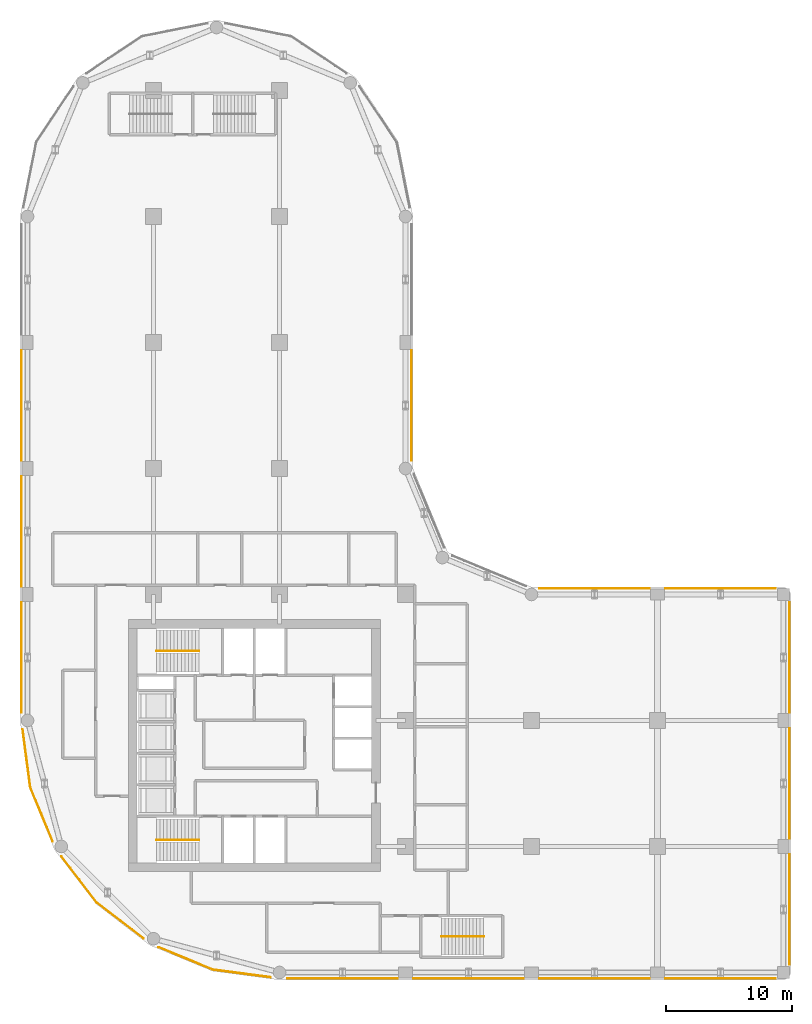
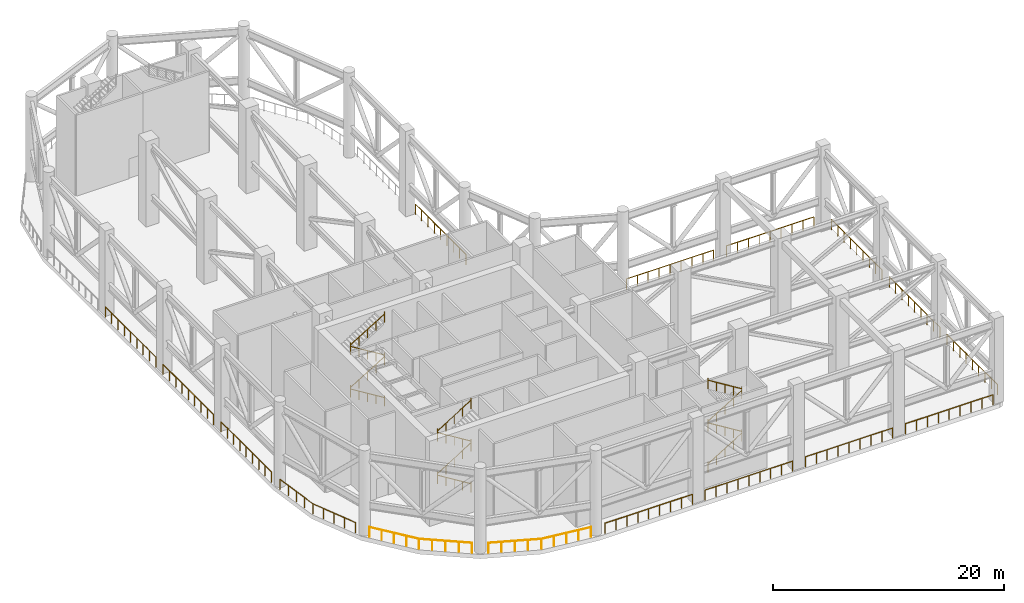
# One storey, part 11 of 13: 28 railings.
"""IFC4 building model written with IfcOpenShell, lengths in metres."""

from ifc_helpers import new_model, si_unit, direction, frame, origin, origin_2d, place, context, subcontext, project, spatial, circle, extrude, material, type_object, element, save


model = new_model("IFC4")

# Units and contexts
model_context = context("Model", 3, precision=1e-05, world=origin(), true_north=direction((0.0, 1.0)))
body_context = subcontext(model_context, "Body", "Model", "MODEL_VIEW")
ifc_project = project(units=[si_unit("LENGTHUNIT", "METRE"), si_unit("AREAUNIT", "SQUARE_METRE"), si_unit("VOLUMEUNIT", "CUBIC_METRE"), si_unit("PLANEANGLEUNIT", "RADIAN"), si_unit("MASSUNIT", "GRAM", prefix="KILO")], contexts=[model_context])

# Site, building, storey
site_placement = place(None, origin())
site = spatial("IfcSite", under=ifc_project, at=site_placement, CompositionType="ELEMENT")
building_placement = place(site_placement, origin())
building = spatial("IfcBuilding", under=site, at=building_placement, Name="Qaws Garden Tower", CompositionType="ELEMENT")
storey_placement = place(building_placement, frame((0.0, 0.0, 237.0)))
storey = spatial("IfcBuildingStorey", under=building, at=storey_placement, Name="L58", CompositionType="ELEMENT", Elevation=237.0)

# Railings
ifc_material_1 = material(Name="Steel S355", Category="steel")
railing_type_1 = type_object("IfcRailingType", Name="Guard steel balustrade 1100", PredefinedType="GUARDRAIL", material=ifc_material_1)
for number, where, name in (
    (1, (29.361083984375, -0.47998046875, 0.0), "Wind floor edge guard"),
    (2, (39.361083984375, -0.47998046875, 0.0), "Wind floor edge guard"),
    (3, (49.361083984375, -0.47998046875, 0.0), "Wind floor edge guard"),
    (4, (59.361083984375, -0.47998046875, 0.0), "Wind floor edge guard"),
):
    element("IfcRailing", number, at=place(storey_placement, frame(where)), inside=storey, type_object=railing_type_1, Name=name, PredefinedType="GUARDRAIL", context=body_context, shape_type="SweptSolid", body=[
        extrude(circle(Radius=0.02392578125, at=origin_2d()), frame((0.0, 0.0, 1.076171875), z_axis=(-1.0, 0.0, 0.0), x_axis=(0.0, -1.0, 0.0)), (0.0, 0.0, 1.0), 8.72216796875),
        extrude(circle(Radius=0.02099609375, at=origin_2d()), origin(), (0.0, 0.0, 1.0), 1.052001953125),
        extrude(circle(Radius=0.02099609375, at=origin_2d()), frame((-1.09033203125, 0.0, 0.0)), (0.0, 0.0, 1.0), 1.052001953125),
        extrude(circle(Radius=0.02099609375, at=origin_2d()), frame((-2.1806640625, 0.0, 0.0)), (0.0, 0.0, 1.0), 1.052001953125),
        extrude(circle(Radius=0.02099609375, at=origin_2d()), frame((-3.270751953125, 0.0, 0.0)), (0.0, 0.0, 1.0), 1.052001953125),
        extrude(circle(Radius=0.02099609375, at=origin_2d()), frame((-4.361083984375, 0.0, 0.0)), (0.0, 0.0, 1.0), 1.052001953125),
        extrude(circle(Radius=0.02099609375, at=origin_2d()), frame((-5.451416015625, 0.0, 0.0)), (0.0, 0.0, 1.0), 1.052001953125),
        extrude(circle(Radius=0.02099609375, at=origin_2d()), frame((-6.54150390625, 0.0, 0.0)), (0.0, 0.0, 1.0), 1.052001953125),
        extrude(circle(Radius=0.02099609375, at=origin_2d()), frame((-7.6318359375, 0.0, 0.0)), (0.0, 0.0, 1.0), 1.052001953125),
        extrude(circle(Radius=0.02099609375, at=origin_2d()), frame((-8.72216796875, 0.0, 0.0)), (0.0, 0.0, 1.0), 1.052001953125),
    ])
railing_1_placement = place(storey_placement, frame((19.30029296875, -0.38671875, 0.0)))
element("IfcRailing", 5, at=railing_1_placement, inside=storey, type_object=railing_type_1, Name="Wind floor edge guard", PredefinedType="GUARDRAIL", context=body_context, shape_type="SweptSolid", body=[
    extrude(circle(Radius=0.02392578125, at=origin_2d()), frame((0.0, 0.0, 1.076171875), z_axis=(-0.991450713576, 0.130481732629, 0.0), x_axis=(-0.130481732629, -0.991450713576, 0.0)), (0.0, 0.0, 1.0), 4.64013671875),
    extrude(circle(Radius=0.02392578125, at=origin_2d()), frame((-4.6005859375, 0.60546875, 1.076171875), z_axis=(-0.923868718314, 0.382709539103, 0.0), x_axis=(-0.382709539103, -0.923868718314, 0.0)), (0.0, 0.0, 1.0), 4.640869140625),
    extrude(circle(Radius=0.02099609375, at=origin_2d()), origin(), (0.0, 0.0, 1.0), 1.052001953125),
    extrude(circle(Radius=0.02099609375, at=origin_2d()), frame((-1.150146484375, 0.1513671875, 0.0)), (0.0, 0.0, 1.0), 1.052001953125),
    extrude(circle(Radius=0.02099609375, at=origin_2d()), frame((-2.30029296875, 0.302734375, 0.0)), (0.0, 0.0, 1.0), 1.052001953125),
    extrude(circle(Radius=0.02099609375, at=origin_2d()), frame((-3.450439453125, 0.4541015625, 0.0)), (0.0, 0.0, 1.0), 1.052001953125),
    extrude(circle(Radius=0.02099609375, at=origin_2d()), frame((-4.6005859375, 0.60546875, 0.0)), (0.0, 0.0, 1.0), 1.052001953125),
    extrude(circle(Radius=0.02099609375, at=origin_2d()), frame((-5.67236328125, 1.049560546875, 0.0)), (0.0, 0.0, 1.0), 1.052001953125),
    extrude(circle(Radius=0.02099609375, at=origin_2d()), frame((-6.744384765625, 1.49365234375, 0.0)), (0.0, 0.0, 1.0), 1.052001953125),
    extrude(circle(Radius=0.02099609375, at=origin_2d()), frame((-7.81640625, 1.9375, 0.0)), (0.0, 0.0, 1.0), 1.052001953125),
    extrude(circle(Radius=0.02099609375, at=origin_2d()), frame((-8.88818359375, 2.381591796875, 0.0)), (0.0, 0.0, 1.0), 1.052001953125),
])
railing_2_placement = place(storey_placement, frame((9.20068359375, 2.694091796875, 0.0)))
element("IfcRailing", 6, at=railing_2_placement, inside=storey, type_object=railing_type_1, Name="Wind floor edge guard", PredefinedType="GUARDRAIL", context=body_context, shape_type="SweptSolid", body=[
    extrude(circle(Radius=0.02392578125, at=origin_2d()), frame((0.0, 0.0, 1.076171875), z_axis=(-0.79331582627, 0.608810315114, 0.0), x_axis=(-0.608810315114, -0.79331582627, 0.0)), (0.0, 0.0, 1.0), 4.640625),
    extrude(circle(Radius=0.02392578125, at=origin_2d()), frame((-3.681396484375, 2.8251953125, 1.076171875), z_axis=(-0.608810315114, 0.79331582627, 0.0), x_axis=(-0.79331582627, -0.608810315114, 0.0)), (0.0, 0.0, 1.0), 4.640625),
    extrude(circle(Radius=0.02099609375, at=origin_2d()), origin(), (0.0, 0.0, 1.0), 1.052001953125),
    extrude(circle(Radius=0.02099609375, at=origin_2d()), frame((-0.92041015625, 0.706298828125, 0.0)), (0.0, 0.0, 1.0), 1.052001953125),
    extrude(circle(Radius=0.02099609375, at=origin_2d()), frame((-1.8408203125, 1.41259765625, 0.0)), (0.0, 0.0, 1.0), 1.052001953125),
    extrude(circle(Radius=0.02099609375, at=origin_2d()), frame((-2.760986328125, 2.118896484375, 0.0)), (0.0, 0.0, 1.0), 1.052001953125),
    extrude(circle(Radius=0.02099609375, at=origin_2d()), frame((-3.681396484375, 2.8251953125, 0.0)), (0.0, 0.0, 1.0), 1.052001953125),
    extrude(circle(Radius=0.02099609375, at=origin_2d()), frame((-4.3876953125, 3.74560546875, 0.0)), (0.0, 0.0, 1.0), 1.052001953125),
    extrude(circle(Radius=0.02099609375, at=origin_2d()), frame((-5.093994140625, 4.666015625, 0.0)), (0.0, 0.0, 1.0), 1.052001953125),
    extrude(circle(Radius=0.02099609375, at=origin_2d()), frame((-5.80029296875, 5.586181640625, 0.0)), (0.0, 0.0, 1.0), 1.052001953125),
    extrude(circle(Radius=0.02099609375, at=origin_2d()), frame((-6.506591796875, 6.506591796875, 0.0)), (0.0, 0.0, 1.0), 1.052001953125),
])
railing_3_placement = place(storey_placement, frame((60.47998046875, 9.361083984375, 0.0)))
element("IfcRailing", 7, at=railing_3_placement, inside=storey, type_object=railing_type_1, Name="Wind floor edge guard", PredefinedType="GUARDRAIL", context=body_context, shape_type="SweptSolid", body=[
    extrude(circle(Radius=0.02392578125, at=origin_2d()), frame((0.0, 0.0, 1.076171875), z_axis=(0.0, -1.0, 0.0), x_axis=(1.0, 0.0, 0.0)), (0.0, 0.0, 1.0), 8.72216796875),
    extrude(circle(Radius=0.02099609375, at=origin_2d()), origin(), (0.0, 0.0, 1.0), 1.052001953125),
    extrude(circle(Radius=0.02099609375, at=origin_2d()), frame((0.0, -1.09033203125, 0.0)), (0.0, 0.0, 1.0), 1.052001953125),
    extrude(circle(Radius=0.02099609375, at=origin_2d()), frame((0.0, -2.1806640625, 0.0)), (0.0, 0.0, 1.0), 1.052001953125),
    extrude(circle(Radius=0.02099609375, at=origin_2d()), frame((0.0, -3.270751953125, 0.0)), (0.0, 0.0, 1.0), 1.052001953125),
    extrude(circle(Radius=0.02099609375, at=origin_2d()), frame((0.0, -4.361083984375, 0.0)), (0.0, 0.0, 1.0), 1.052001953125),
    extrude(circle(Radius=0.02099609375, at=origin_2d()), frame((0.0, -5.451416015625, 0.0)), (0.0, 0.0, 1.0), 1.052001953125),
    extrude(circle(Radius=0.02099609375, at=origin_2d()), frame((0.0, -6.54150390625, 0.0)), (0.0, 0.0, 1.0), 1.052001953125),
    extrude(circle(Radius=0.02099609375, at=origin_2d()), frame((0.0, -7.6318359375, 0.0)), (0.0, 0.0, 1.0), 1.052001953125),
    extrude(circle(Radius=0.02099609375, at=origin_2d()), frame((0.0, -8.72216796875, 0.0)), (0.0, 0.0, 1.0), 1.052001953125),
])
railing_4_placement = place(storey_placement, frame((1.994873046875, 10.412109375, 0.0)))
element("IfcRailing", 8, at=railing_4_placement, inside=storey, type_object=railing_type_1, Name="Wind floor edge guard", PredefinedType="GUARDRAIL", context=body_context, shape_type="SweptSolid", body=[
    extrude(circle(Radius=0.02392578125, at=origin_2d()), frame((0.0, 0.0, 1.076171875), z_axis=(-0.382709539103, 0.923868718314, 0.0), x_axis=(-0.923868718314, -0.382709539103, 0.0)), (0.0, 0.0, 1.0), 4.640869140625),
    extrude(circle(Radius=0.02392578125, at=origin_2d()), frame((-1.776123046875, 4.28759765625, 1.076171875), z_axis=(-0.130481732629, 0.991450713576, 0.0), x_axis=(-0.991450713576, -0.130481732629, 0.0)), (0.0, 0.0, 1.0), 4.64013671875),
    extrude(circle(Radius=0.02099609375, at=origin_2d()), origin(), (0.0, 0.0, 1.0), 1.052001953125),
    extrude(circle(Radius=0.02099609375, at=origin_2d()), frame((-0.444091796875, 1.07177734375, 0.0)), (0.0, 0.0, 1.0), 1.052001953125),
    extrude(circle(Radius=0.02099609375, at=origin_2d()), frame((-0.88818359375, 2.143798828125, 0.0)), (0.0, 0.0, 1.0), 1.052001953125),
    extrude(circle(Radius=0.02099609375, at=origin_2d()), frame((-1.33203125, 3.2158203125, 0.0)), (0.0, 0.0, 1.0), 1.052001953125),
    extrude(circle(Radius=0.02099609375, at=origin_2d()), frame((-1.776123046875, 4.28759765625, 0.0)), (0.0, 0.0, 1.0), 1.052001953125),
    extrude(circle(Radius=0.02099609375, at=origin_2d()), frame((-1.927490234375, 5.437744140625, 0.0)), (0.0, 0.0, 1.0), 1.052001953125),
    extrude(circle(Radius=0.02099609375, at=origin_2d()), frame((-2.078857421875, 6.587890625, 0.0)), (0.0, 0.0, 1.0), 1.052001953125),
    extrude(circle(Radius=0.02099609375, at=origin_2d()), frame((-2.230224609375, 7.738037109375, 0.0)), (0.0, 0.0, 1.0), 1.052001953125),
    extrude(circle(Radius=0.02099609375, at=origin_2d()), frame((-2.381591796875, 8.88818359375, 0.0)), (0.0, 0.0, 1.0), 1.052001953125),
])
railing_5_placement = place(storey_placement, frame((60.47998046875, 19.361083984375, 0.0)))
element("IfcRailing", 9, at=railing_5_placement, inside=storey, type_object=railing_type_1, Name="Wind floor edge guard", PredefinedType="GUARDRAIL", context=body_context, shape_type="SweptSolid", body=[
    extrude(circle(Radius=0.02392578125, at=origin_2d()), frame((0.0, 0.0, 1.076171875), z_axis=(0.0, -1.0, 0.0), x_axis=(1.0, 0.0, 0.0)), (0.0, 0.0, 1.0), 8.72216796875),
    extrude(circle(Radius=0.02099609375, at=origin_2d()), origin(), (0.0, 0.0, 1.0), 1.052001953125),
    extrude(circle(Radius=0.02099609375, at=origin_2d()), frame((0.0, -1.09033203125, 0.0)), (0.0, 0.0, 1.0), 1.052001953125),
    extrude(circle(Radius=0.02099609375, at=origin_2d()), frame((0.0, -2.1806640625, 0.0)), (0.0, 0.0, 1.0), 1.052001953125),
    extrude(circle(Radius=0.02099609375, at=origin_2d()), frame((0.0, -3.270751953125, 0.0)), (0.0, 0.0, 1.0), 1.052001953125),
    extrude(circle(Radius=0.02099609375, at=origin_2d()), frame((0.0, -4.361083984375, 0.0)), (0.0, 0.0, 1.0), 1.052001953125),
    extrude(circle(Radius=0.02099609375, at=origin_2d()), frame((0.0, -5.451416015625, 0.0)), (0.0, 0.0, 1.0), 1.052001953125),
    extrude(circle(Radius=0.02099609375, at=origin_2d()), frame((0.0, -6.54150390625, 0.0)), (0.0, 0.0, 1.0), 1.052001953125),
    extrude(circle(Radius=0.02099609375, at=origin_2d()), frame((0.0, -7.6318359375, 0.0)), (0.0, 0.0, 1.0), 1.052001953125),
    extrude(circle(Radius=0.02099609375, at=origin_2d()), frame((0.0, -8.72216796875, 0.0)), (0.0, 0.0, 1.0), 1.052001953125),
])
railing_6_placement = place(storey_placement, frame((-0.47998046875, 20.638916015625, 0.0)))
element("IfcRailing", 10, at=railing_6_placement, inside=storey, type_object=railing_type_1, Name="Wind floor edge guard", PredefinedType="GUARDRAIL", context=body_context, shape_type="SweptSolid", body=[
    extrude(circle(Radius=0.02392578125, at=origin_2d()), frame((0.0, 0.0, 1.076171875), z_axis=(0.0, 1.0, 0.0), x_axis=(-1.0, 0.0, 0.0)), (0.0, 0.0, 1.0), 8.72216796875),
    extrude(circle(Radius=0.02099609375, at=origin_2d()), origin(), (0.0, 0.0, 1.0), 1.052001953125),
    extrude(circle(Radius=0.02099609375, at=origin_2d()), frame((0.0, 1.09033203125, 0.0)), (0.0, 0.0, 1.0), 1.052001953125),
    extrude(circle(Radius=0.02099609375, at=origin_2d()), frame((0.0, 2.1806640625, 0.0)), (0.0, 0.0, 1.0), 1.052001953125),
    extrude(circle(Radius=0.02099609375, at=origin_2d()), frame((0.0, 3.270751953125, 0.0)), (0.0, 0.0, 1.0), 1.052001953125),
    extrude(circle(Radius=0.02099609375, at=origin_2d()), frame((0.0, 4.361083984375, 0.0)), (0.0, 0.0, 1.0), 1.052001953125),
    extrude(circle(Radius=0.02099609375, at=origin_2d()), frame((0.0, 5.451416015625, 0.0)), (0.0, 0.0, 1.0), 1.052001953125),
    extrude(circle(Radius=0.02099609375, at=origin_2d()), frame((0.0, 6.54150390625, 0.0)), (0.0, 0.0, 1.0), 1.052001953125),
    extrude(circle(Radius=0.02099609375, at=origin_2d()), frame((0.0, 7.6318359375, 0.0)), (0.0, 0.0, 1.0), 1.052001953125),
    extrude(circle(Radius=0.02099609375, at=origin_2d()), frame((0.0, 8.72216796875, 0.0)), (0.0, 0.0, 1.0), 1.052001953125),
])
railing_7_placement = place(storey_placement, frame((60.47998046875, 29.361083984375, 0.0)))
element("IfcRailing", 11, at=railing_7_placement, inside=storey, type_object=railing_type_1, Name="Wind floor edge guard", PredefinedType="GUARDRAIL", context=body_context, shape_type="SweptSolid", body=[
    extrude(circle(Radius=0.02392578125, at=origin_2d()), frame((0.0, 0.0, 1.076171875), z_axis=(0.0, -1.0, 0.0), x_axis=(1.0, 0.0, 0.0)), (0.0, 0.0, 1.0), 8.72216796875),
    extrude(circle(Radius=0.02099609375, at=origin_2d()), origin(), (0.0, 0.0, 1.0), 1.052001953125),
    extrude(circle(Radius=0.02099609375, at=origin_2d()), frame((0.0, -1.09033203125, 0.0)), (0.0, 0.0, 1.0), 1.052001953125),
    extrude(circle(Radius=0.02099609375, at=origin_2d()), frame((0.0, -2.1806640625, 0.0)), (0.0, 0.0, 1.0), 1.052001953125),
    extrude(circle(Radius=0.02099609375, at=origin_2d()), frame((0.0, -3.270751953125, 0.0)), (0.0, 0.0, 1.0), 1.052001953125),
    extrude(circle(Radius=0.02099609375, at=origin_2d()), frame((0.0, -4.361083984375, 0.0)), (0.0, 0.0, 1.0), 1.052001953125),
    extrude(circle(Radius=0.02099609375, at=origin_2d()), frame((0.0, -5.451416015625, 0.0)), (0.0, 0.0, 1.0), 1.052001953125),
    extrude(circle(Radius=0.02099609375, at=origin_2d()), frame((0.0, -6.54150390625, 0.0)), (0.0, 0.0, 1.0), 1.052001953125),
    extrude(circle(Radius=0.02099609375, at=origin_2d()), frame((0.0, -7.6318359375, 0.0)), (0.0, 0.0, 1.0), 1.052001953125),
    extrude(circle(Radius=0.02099609375, at=origin_2d()), frame((0.0, -8.72216796875, 0.0)), (0.0, 0.0, 1.0), 1.052001953125),
])
for number, where, name in (
    (12, (40.638916015625, 30.47998046875, 0.0), "Wind floor edge guard"),
    (13, (50.638916015625, 30.47998046875, 0.0), "Wind floor edge guard"),
):
    element("IfcRailing", number, at=place(storey_placement, frame(where)), inside=storey, type_object=railing_type_1, Name=name, PredefinedType="GUARDRAIL", context=body_context, shape_type="SweptSolid", body=[
        extrude(circle(Radius=0.02392578125, at=origin_2d()), frame((0.0, 0.0, 1.076171875), z_axis=(1.0, 0.0, 0.0), x_axis=(0.0, 1.0, 0.0)), (0.0, 0.0, 1.0), 8.72216796875),
        extrude(circle(Radius=0.02099609375, at=origin_2d()), origin(), (0.0, 0.0, 1.0), 1.052001953125),
        extrude(circle(Radius=0.02099609375, at=origin_2d()), frame((1.09033203125, 0.0, 0.0)), (0.0, 0.0, 1.0), 1.052001953125),
        extrude(circle(Radius=0.02099609375, at=origin_2d()), frame((2.1806640625, 0.0, 0.0)), (0.0, 0.0, 1.0), 1.052001953125),
        extrude(circle(Radius=0.02099609375, at=origin_2d()), frame((3.270751953125, 0.0, 0.0)), (0.0, 0.0, 1.0), 1.052001953125),
        extrude(circle(Radius=0.02099609375, at=origin_2d()), frame((4.361083984375, 0.0, 0.0)), (0.0, 0.0, 1.0), 1.052001953125),
        extrude(circle(Radius=0.02099609375, at=origin_2d()), frame((5.451416015625, 0.0, 0.0)), (0.0, 0.0, 1.0), 1.052001953125),
        extrude(circle(Radius=0.02099609375, at=origin_2d()), frame((6.54150390625, 0.0, 0.0)), (0.0, 0.0, 1.0), 1.052001953125),
        extrude(circle(Radius=0.02099609375, at=origin_2d()), frame((7.6318359375, 0.0, 0.0)), (0.0, 0.0, 1.0), 1.052001953125),
        extrude(circle(Radius=0.02099609375, at=origin_2d()), frame((8.72216796875, 0.0, 0.0)), (0.0, 0.0, 1.0), 1.052001953125),
    ])
for number, where, name in (
    (14, (-0.47998046875, 30.638916015625, 0.0), "Wind floor edge guard"),
    (15, (-0.47998046875, 40.638916015625, 0.0), "Wind floor edge guard"),
):
    element("IfcRailing", number, at=place(storey_placement, frame(where)), inside=storey, type_object=railing_type_1, Name=name, PredefinedType="GUARDRAIL", context=body_context, shape_type="SweptSolid", body=[
        extrude(circle(Radius=0.02392578125, at=origin_2d()), frame((0.0, 0.0, 1.076171875), z_axis=(0.0, 1.0, 0.0), x_axis=(-1.0, 0.0, 0.0)), (0.0, 0.0, 1.0), 8.72216796875),
        extrude(circle(Radius=0.02099609375, at=origin_2d()), origin(), (0.0, 0.0, 1.0), 1.052001953125),
        extrude(circle(Radius=0.02099609375, at=origin_2d()), frame((0.0, 1.09033203125, 0.0)), (0.0, 0.0, 1.0), 1.052001953125),
        extrude(circle(Radius=0.02099609375, at=origin_2d()), frame((0.0, 2.1806640625, 0.0)), (0.0, 0.0, 1.0), 1.052001953125),
        extrude(circle(Radius=0.02099609375, at=origin_2d()), frame((0.0, 3.270751953125, 0.0)), (0.0, 0.0, 1.0), 1.052001953125),
        extrude(circle(Radius=0.02099609375, at=origin_2d()), frame((0.0, 4.361083984375, 0.0)), (0.0, 0.0, 1.0), 1.052001953125),
        extrude(circle(Radius=0.02099609375, at=origin_2d()), frame((0.0, 5.451416015625, 0.0)), (0.0, 0.0, 1.0), 1.052001953125),
        extrude(circle(Radius=0.02099609375, at=origin_2d()), frame((0.0, 6.54150390625, 0.0)), (0.0, 0.0, 1.0), 1.052001953125),
        extrude(circle(Radius=0.02099609375, at=origin_2d()), frame((0.0, 7.6318359375, 0.0)), (0.0, 0.0, 1.0), 1.052001953125),
        extrude(circle(Radius=0.02099609375, at=origin_2d()), frame((0.0, 8.72216796875, 0.0)), (0.0, 0.0, 1.0), 1.052001953125),
    ])
railing_8_placement = place(storey_placement, frame((30.47998046875, 49.361083984375, 0.0)))
element("IfcRailing", 16, at=railing_8_placement, inside=storey, type_object=railing_type_1, Name="Wind floor edge guard", PredefinedType="GUARDRAIL", context=body_context, shape_type="SweptSolid", body=[
    extrude(circle(Radius=0.02392578125, at=origin_2d()), frame((0.0, 0.0, 1.076171875), z_axis=(0.0, -1.0, 0.0), x_axis=(1.0, 0.0, 0.0)), (0.0, 0.0, 1.0), 8.72216796875),
    extrude(circle(Radius=0.02099609375, at=origin_2d()), origin(), (0.0, 0.0, 1.0), 1.052001953125),
    extrude(circle(Radius=0.02099609375, at=origin_2d()), frame((0.0, -1.09033203125, 0.0)), (0.0, 0.0, 1.0), 1.052001953125),
    extrude(circle(Radius=0.02099609375, at=origin_2d()), frame((0.0, -2.1806640625, 0.0)), (0.0, 0.0, 1.0), 1.052001953125),
    extrude(circle(Radius=0.02099609375, at=origin_2d()), frame((0.0, -3.270751953125, 0.0)), (0.0, 0.0, 1.0), 1.052001953125),
    extrude(circle(Radius=0.02099609375, at=origin_2d()), frame((0.0, -4.361083984375, 0.0)), (0.0, 0.0, 1.0), 1.052001953125),
    extrude(circle(Radius=0.02099609375, at=origin_2d()), frame((0.0, -5.451416015625, 0.0)), (0.0, 0.0, 1.0), 1.052001953125),
    extrude(circle(Radius=0.02099609375, at=origin_2d()), frame((0.0, -6.54150390625, 0.0)), (0.0, 0.0, 1.0), 1.052001953125),
    extrude(circle(Radius=0.02099609375, at=origin_2d()), frame((0.0, -7.6318359375, 0.0)), (0.0, 0.0, 1.0), 1.052001953125),
    extrude(circle(Radius=0.02099609375, at=origin_2d()), frame((0.0, -8.72216796875, 0.0)), (0.0, 0.0, 1.0), 1.052001953125),
])
ifc_material_2 = material(Name="Steel S355", Category="steel")
railing_type_2 = type_object("IfcRailingType", Name="Stair handrail 900", PredefinedType="HANDRAIL", material=ifc_material_2)
railing_9_placement = place(storey_placement, frame((13.60009765625, 10.5, 0.173095703125)))
element("IfcRailing", 17, at=railing_9_placement, inside=storey, type_object=railing_type_2, Name="Stair 1 handrail", PredefinedType="HANDRAIL", context=body_context, shape_type="SweptSolid", body=[
    extrude(circle(Radius=0.02392578125, at=origin_2d()), frame((0.0, 0.0, 0.8759765625), z_axis=(-0.850623216509, 0.0, 0.525775754039), x_axis=(0.0, -1.0, 0.0)), (0.0, 0.0, 1.0), 3.9501953125),
    extrude(circle(Radius=0.02099609375, at=origin_2d()), origin(), (0.0, 0.0, 1.0), 1.072998046875),
    extrude(circle(Radius=0.02099609375, at=origin_2d()), frame((-0.840087890625, 0.0, 0.519287109375)), (0.0, 0.0, 1.0), 0.851806640625),
    extrude(circle(Radius=0.02099609375, at=origin_2d()), frame((-1.68017578125, 0.0, 1.03857421875)), (0.0, 0.0, 1.0), 0.851806640625),
    extrude(circle(Radius=0.02099609375, at=origin_2d()), frame((-2.52001953125, 0.0, 1.5576171875)), (0.0, 0.0, 1.0), 0.851806640625),
    extrude(circle(Radius=0.02099609375, at=origin_2d()), frame((-3.360107421875, 0.0, 2.076904296875)), (0.0, 0.0, 1.0), 1.072998046875),
])
railing_10_placement = place(storey_placement, frame((10.239990234375, 10.5, 2.423095703125)))
element("IfcRailing", 18, at=railing_10_placement, inside=storey, type_object=railing_type_2, Name="Stair 1 handrail", PredefinedType="HANDRAIL", context=body_context, shape_type="SweptSolid", body=[
    extrude(circle(Radius=0.02392578125, at=origin_2d()), frame((0.0, 0.0, 0.8759765625), z_axis=(0.850623216509, 0.0, 0.525775754039), x_axis=(0.0, 1.0, 0.0)), (0.0, 0.0, 1.0), 3.9501953125),
    extrude(circle(Radius=0.02099609375, at=origin_2d()), origin(), (0.0, 0.0, 1.0), 1.072998046875),
    extrude(circle(Radius=0.02099609375, at=origin_2d()), frame((0.840087890625, 0.0, 0.519287109375)), (0.0, 0.0, 1.0), 0.851806640625),
    extrude(circle(Radius=0.02099609375, at=origin_2d()), frame((1.68017578125, 0.0, 1.03857421875)), (0.0, 0.0, 1.0), 0.851806640625),
    extrude(circle(Radius=0.02099609375, at=origin_2d()), frame((2.52001953125, 0.0, 1.5576171875)), (0.0, 0.0, 1.0), 0.851806640625),
    extrude(circle(Radius=0.02099609375, at=origin_2d()), frame((3.360107421875, 0.0, 2.076904296875)), (0.0, 0.0, 1.0), 1.072998046875),
])
railing_11_placement = place(storey_placement, frame((13.60009765625, 10.5, 4.673095703125)))
element("IfcRailing", 19, at=railing_11_placement, inside=storey, type_object=railing_type_2, Name="Stair 1 handrail", PredefinedType="HANDRAIL", context=body_context, shape_type="SweptSolid", body=[
    extrude(circle(Radius=0.02392578125, at=origin_2d()), frame((0.0, 0.0, 0.8759765625), z_axis=(-0.850623216509, 0.0, 0.525775754039), x_axis=(0.0, -1.0, 0.0)), (0.0, 0.0, 1.0), 3.9501953125),
    extrude(circle(Radius=0.02099609375, at=origin_2d()), origin(), (0.0, 0.0, 1.0), 1.072998046875),
    extrude(circle(Radius=0.02099609375, at=origin_2d()), frame((-0.840087890625, 0.0, 0.519287109375)), (0.0, 0.0, 1.0), 0.851806640625),
    extrude(circle(Radius=0.02099609375, at=origin_2d()), frame((-1.68017578125, 0.0, 1.03857421875)), (0.0, 0.0, 1.0), 0.851806640625),
    extrude(circle(Radius=0.02099609375, at=origin_2d()), frame((-2.52001953125, 0.0, 1.5576171875)), (0.0, 0.0, 1.0), 0.851806640625),
    extrude(circle(Radius=0.02099609375, at=origin_2d()), frame((-3.360107421875, 0.0, 2.076904296875)), (0.0, 0.0, 1.0), 1.072998046875),
])
railing_12_placement = place(storey_placement, frame((10.239990234375, 10.5, 6.923095703125)))
element("IfcRailing", 20, at=railing_12_placement, inside=storey, type_object=railing_type_2, Name="Stair 1 handrail", PredefinedType="HANDRAIL", context=body_context, shape_type="SweptSolid", body=[
    extrude(circle(Radius=0.02392578125, at=origin_2d()), frame((0.0, 0.0, 0.8759765625), z_axis=(0.850623216509, 0.0, 0.525775754039), x_axis=(0.0, 1.0, 0.0)), (0.0, 0.0, 1.0), 3.9501953125),
    extrude(circle(Radius=0.02099609375, at=origin_2d()), origin(), (0.0, 0.0, 1.0), 1.072998046875),
    extrude(circle(Radius=0.02099609375, at=origin_2d()), frame((0.840087890625, 0.0, 0.519287109375)), (0.0, 0.0, 1.0), 0.851806640625),
    extrude(circle(Radius=0.02099609375, at=origin_2d()), frame((1.68017578125, 0.0, 1.03857421875)), (0.0, 0.0, 1.0), 0.851806640625),
    extrude(circle(Radius=0.02099609375, at=origin_2d()), frame((2.52001953125, 0.0, 1.5576171875)), (0.0, 0.0, 1.0), 0.851806640625),
    extrude(circle(Radius=0.02099609375, at=origin_2d()), frame((3.360107421875, 0.0, 2.076904296875)), (0.0, 0.0, 1.0), 1.072998046875),
])
railing_13_placement = place(storey_placement, frame((13.60009765625, 25.5, 0.173095703125)))
element("IfcRailing", 21, at=railing_13_placement, inside=storey, type_object=railing_type_2, Name="Stair 4 handrail", PredefinedType="HANDRAIL", context=body_context, shape_type="SweptSolid", body=[
    extrude(circle(Radius=0.02392578125, at=origin_2d()), frame((0.0, 0.0, 0.8759765625), z_axis=(-0.850623216509, 0.0, 0.525775754039), x_axis=(0.0, -1.0, 0.0)), (0.0, 0.0, 1.0), 3.9501953125),
    extrude(circle(Radius=0.02099609375, at=origin_2d()), origin(), (0.0, 0.0, 1.0), 1.072998046875),
    extrude(circle(Radius=0.02099609375, at=origin_2d()), frame((-0.840087890625, 0.0, 0.519287109375)), (0.0, 0.0, 1.0), 0.851806640625),
    extrude(circle(Radius=0.02099609375, at=origin_2d()), frame((-1.68017578125, 0.0, 1.03857421875)), (0.0, 0.0, 1.0), 0.851806640625),
    extrude(circle(Radius=0.02099609375, at=origin_2d()), frame((-2.52001953125, 0.0, 1.5576171875)), (0.0, 0.0, 1.0), 0.851806640625),
    extrude(circle(Radius=0.02099609375, at=origin_2d()), frame((-3.360107421875, 0.0, 2.076904296875)), (0.0, 0.0, 1.0), 1.072998046875),
])
railing_14_placement = place(storey_placement, frame((10.239990234375, 25.5, 2.423095703125)))
element("IfcRailing", 22, at=railing_14_placement, inside=storey, type_object=railing_type_2, Name="Stair 4 handrail", PredefinedType="HANDRAIL", context=body_context, shape_type="SweptSolid", body=[
    extrude(circle(Radius=0.02392578125, at=origin_2d()), frame((0.0, 0.0, 0.8759765625), z_axis=(0.850623216509, 0.0, 0.525775754039), x_axis=(0.0, 1.0, 0.0)), (0.0, 0.0, 1.0), 3.9501953125),
    extrude(circle(Radius=0.02099609375, at=origin_2d()), origin(), (0.0, 0.0, 1.0), 1.072998046875),
    extrude(circle(Radius=0.02099609375, at=origin_2d()), frame((0.840087890625, 0.0, 0.519287109375)), (0.0, 0.0, 1.0), 0.851806640625),
    extrude(circle(Radius=0.02099609375, at=origin_2d()), frame((1.68017578125, 0.0, 1.03857421875)), (0.0, 0.0, 1.0), 0.851806640625),
    extrude(circle(Radius=0.02099609375, at=origin_2d()), frame((2.52001953125, 0.0, 1.5576171875)), (0.0, 0.0, 1.0), 0.851806640625),
    extrude(circle(Radius=0.02099609375, at=origin_2d()), frame((3.360107421875, 0.0, 2.076904296875)), (0.0, 0.0, 1.0), 1.072998046875),
])
railing_15_placement = place(storey_placement, frame((13.60009765625, 25.5, 4.673095703125)))
element("IfcRailing", 23, at=railing_15_placement, inside=storey, type_object=railing_type_2, Name="Stair 4 handrail", PredefinedType="HANDRAIL", context=body_context, shape_type="SweptSolid", body=[
    extrude(circle(Radius=0.02392578125, at=origin_2d()), frame((0.0, 0.0, 0.8759765625), z_axis=(-0.850623216509, 0.0, 0.525775754039), x_axis=(0.0, -1.0, 0.0)), (0.0, 0.0, 1.0), 3.9501953125),
    extrude(circle(Radius=0.02099609375, at=origin_2d()), origin(), (0.0, 0.0, 1.0), 1.072998046875),
    extrude(circle(Radius=0.02099609375, at=origin_2d()), frame((-0.840087890625, 0.0, 0.519287109375)), (0.0, 0.0, 1.0), 0.851806640625),
    extrude(circle(Radius=0.02099609375, at=origin_2d()), frame((-1.68017578125, 0.0, 1.03857421875)), (0.0, 0.0, 1.0), 0.851806640625),
    extrude(circle(Radius=0.02099609375, at=origin_2d()), frame((-2.52001953125, 0.0, 1.5576171875)), (0.0, 0.0, 1.0), 0.851806640625),
    extrude(circle(Radius=0.02099609375, at=origin_2d()), frame((-3.360107421875, 0.0, 2.076904296875)), (0.0, 0.0, 1.0), 1.072998046875),
])
railing_16_placement = place(storey_placement, frame((10.239990234375, 25.5, 6.923095703125)))
element("IfcRailing", 24, at=railing_16_placement, inside=storey, type_object=railing_type_2, Name="Stair 4 handrail", PredefinedType="HANDRAIL", context=body_context, shape_type="SweptSolid", body=[
    extrude(circle(Radius=0.02392578125, at=origin_2d()), frame((0.0, 0.0, 0.8759765625), z_axis=(0.850623216509, 0.0, 0.525775754039), x_axis=(0.0, 1.0, 0.0)), (0.0, 0.0, 1.0), 3.9501953125),
    extrude(circle(Radius=0.02099609375, at=origin_2d()), origin(), (0.0, 0.0, 1.0), 1.072998046875),
    extrude(circle(Radius=0.02099609375, at=origin_2d()), frame((0.840087890625, 0.0, 0.519287109375)), (0.0, 0.0, 1.0), 0.851806640625),
    extrude(circle(Radius=0.02099609375, at=origin_2d()), frame((1.68017578125, 0.0, 1.03857421875)), (0.0, 0.0, 1.0), 0.851806640625),
    extrude(circle(Radius=0.02099609375, at=origin_2d()), frame((2.52001953125, 0.0, 1.5576171875)), (0.0, 0.0, 1.0), 0.851806640625),
    extrude(circle(Radius=0.02099609375, at=origin_2d()), frame((3.360107421875, 0.0, 2.076904296875)), (0.0, 0.0, 1.0), 1.072998046875),
])
railing_17_placement = place(storey_placement, frame((32.85009765625, 2.85009765625, 0.173095703125)))
element("IfcRailing", 25, at=railing_17_placement, inside=storey, type_object=railing_type_2, Name="Stair 5 handrail", PredefinedType="HANDRAIL", context=body_context, shape_type="SweptSolid", body=[
    extrude(circle(Radius=0.02392578125, at=origin_2d()), frame((0.0, 0.0, 0.8759765625), z_axis=(0.850606129759, 0.0, 0.525803396734), x_axis=(0.0, 1.0, 0.0)), (0.0, 0.0, 1.0), 3.949951171875),
    extrude(circle(Radius=0.02099609375, at=origin_2d()), origin(), (0.0, 0.0, 1.0), 1.072998046875),
    extrude(circle(Radius=0.02099609375, at=origin_2d()), frame((0.83984375, 0.0, 0.519287109375)), (0.0, 0.0, 1.0), 0.851806640625),
    extrude(circle(Radius=0.02099609375, at=origin_2d()), frame((1.679931640625, 0.0, 1.03857421875)), (0.0, 0.0, 1.0), 0.851806640625),
    extrude(circle(Radius=0.02099609375, at=origin_2d()), frame((2.52001953125, 0.0, 1.5576171875)), (0.0, 0.0, 1.0), 0.851806640625),
    extrude(circle(Radius=0.02099609375, at=origin_2d()), frame((3.35986328125, 0.0, 2.076904296875)), (0.0, 0.0, 1.0), 1.072998046875),
])
railing_18_placement = place(storey_placement, frame((36.2099609375, 2.85009765625, 2.423095703125)))
element("IfcRailing", 26, at=railing_18_placement, inside=storey, type_object=railing_type_2, Name="Stair 5 handrail", PredefinedType="HANDRAIL", context=body_context, shape_type="SweptSolid", body=[
    extrude(circle(Radius=0.02392578125, at=origin_2d()), frame((0.0, 0.0, 0.8759765625), z_axis=(-0.850606129759, 0.0, 0.525803396734), x_axis=(0.0, -1.0, 0.0)), (0.0, 0.0, 1.0), 3.949951171875),
    extrude(circle(Radius=0.02099609375, at=origin_2d()), origin(), (0.0, 0.0, 1.0), 1.072998046875),
    extrude(circle(Radius=0.02099609375, at=origin_2d()), frame((-0.83984375, 0.0, 0.519287109375)), (0.0, 0.0, 1.0), 0.851806640625),
    extrude(circle(Radius=0.02099609375, at=origin_2d()), frame((-1.679931640625, 0.0, 1.03857421875)), (0.0, 0.0, 1.0), 0.851806640625),
    extrude(circle(Radius=0.02099609375, at=origin_2d()), frame((-2.52001953125, 0.0, 1.5576171875)), (0.0, 0.0, 1.0), 0.851806640625),
    extrude(circle(Radius=0.02099609375, at=origin_2d()), frame((-3.35986328125, 0.0, 2.076904296875)), (0.0, 0.0, 1.0), 1.072998046875),
])
railing_19_placement = place(storey_placement, frame((32.85009765625, 2.85009765625, 4.673095703125)))
element("IfcRailing", 27, at=railing_19_placement, inside=storey, type_object=railing_type_2, Name="Stair 5 handrail", PredefinedType="HANDRAIL", context=body_context, shape_type="SweptSolid", body=[
    extrude(circle(Radius=0.02392578125, at=origin_2d()), frame((0.0, 0.0, 0.8759765625), z_axis=(0.850606129759, 0.0, 0.525803396734), x_axis=(0.0, 1.0, 0.0)), (0.0, 0.0, 1.0), 3.949951171875),
    extrude(circle(Radius=0.02099609375, at=origin_2d()), origin(), (0.0, 0.0, 1.0), 1.072998046875),
    extrude(circle(Radius=0.02099609375, at=origin_2d()), frame((0.83984375, 0.0, 0.519287109375)), (0.0, 0.0, 1.0), 0.851806640625),
    extrude(circle(Radius=0.02099609375, at=origin_2d()), frame((1.679931640625, 0.0, 1.03857421875)), (0.0, 0.0, 1.0), 0.851806640625),
    extrude(circle(Radius=0.02099609375, at=origin_2d()), frame((2.52001953125, 0.0, 1.5576171875)), (0.0, 0.0, 1.0), 0.851806640625),
    extrude(circle(Radius=0.02099609375, at=origin_2d()), frame((3.35986328125, 0.0, 2.076904296875)), (0.0, 0.0, 1.0), 1.072998046875),
])
railing_20_placement = place(storey_placement, frame((36.2099609375, 2.85009765625, 6.923095703125)))
element("IfcRailing", 28, at=railing_20_placement, inside=storey, type_object=railing_type_2, Name="Stair 5 handrail", PredefinedType="HANDRAIL", context=body_context, shape_type="SweptSolid", body=[
    extrude(circle(Radius=0.02392578125, at=origin_2d()), frame((0.0, 0.0, 0.8759765625), z_axis=(-0.850606129759, 0.0, 0.525803396734), x_axis=(0.0, -1.0, 0.0)), (0.0, 0.0, 1.0), 3.949951171875),
    extrude(circle(Radius=0.02099609375, at=origin_2d()), origin(), (0.0, 0.0, 1.0), 1.072998046875),
    extrude(circle(Radius=0.02099609375, at=origin_2d()), frame((-0.83984375, 0.0, 0.519287109375)), (0.0, 0.0, 1.0), 0.851806640625),
    extrude(circle(Radius=0.02099609375, at=origin_2d()), frame((-1.679931640625, 0.0, 1.03857421875)), (0.0, 0.0, 1.0), 0.851806640625),
    extrude(circle(Radius=0.02099609375, at=origin_2d()), frame((-2.52001953125, 0.0, 1.5576171875)), (0.0, 0.0, 1.0), 0.851806640625),
    extrude(circle(Radius=0.02099609375, at=origin_2d()), frame((-3.35986328125, 0.0, 2.076904296875)), (0.0, 0.0, 1.0), 1.072998046875),
])

save(model, "model.ifc")
